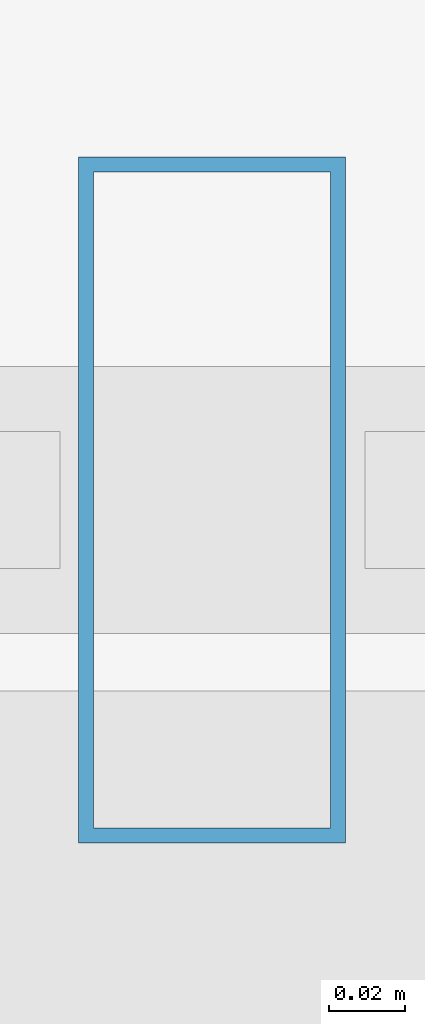
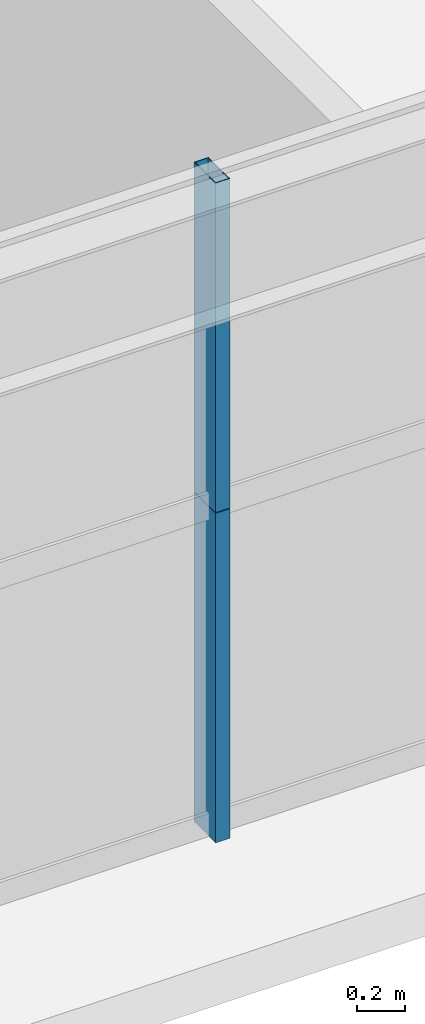
# One storey, part 5 of 43: 2 members, 1 element without a shape of its own.
"""IFC4 building model written with IfcOpenShell, lengths in metres."""

from ifc_helpers import new_model, si_unit, direction, frame, origin, origin_2d, place, context, subcontext, project, spatial, hollow_rectangle, extrude, source, transform, mapped, material, layer, layer_set, material_profile, profile_set, type_object, element, aggregate, save


model = new_model("IFC4")

# Units and contexts
model_context = context("Model", 3, precision=1e-05, world=origin(), true_north=direction((0.0, 1.0)))
body_context = subcontext(model_context, "Body", "Model", "MODEL_VIEW")
ifc_project = project(units=[si_unit("LENGTHUNIT", "METRE"), si_unit("AREAUNIT", "SQUARE_METRE"), si_unit("VOLUMEUNIT", "CUBIC_METRE"), si_unit("PLANEANGLEUNIT", "RADIAN"), si_unit("MASSUNIT", "GRAM", prefix="KILO"), si_unit("THERMODYNAMICTEMPERATUREUNIT", "KELVIN"), si_unit("POWERUNIT", "WATT")], contexts=[model_context])

# Site, building, storey
site_placement = place(None, origin())
site = spatial("IfcSite", under=ifc_project, at=site_placement, CompositionType="ELEMENT")
building_placement = place(site_placement, origin())
building = spatial("IfcBuilding", under=site, at=building_placement, Name="Yuzanri Waterfront Tower", CompositionType="ELEMENT")
storey_placement = place(building_placement, frame((0.0, 0.0, 74.800048828125)))
storey = spatial("IfcBuildingStorey", under=building, at=storey_placement, Name="L19", CompositionType="ELEMENT", Elevation=74.800048828125)

# Curtain wall, members
ifc_material_1 = material(Name="Anodized Architectural Bronze", Category="metal")
ifc_layer = layer(ifc_material_1, 0.159912109375)
ifc_layer_set = layer_set([ifc_layer], Name="Anodized Architectural Bronze")
curtain_wall_type = type_object("IfcCurtainWallType", Name="Anodized Bronze Hotel Lower-Tier Recessed Unitized Curtain Wall 8100", PredefinedType="NOTDEFINED", material=ifc_layer_set)
curtain_wall_placement = place(storey_placement, origin())
curtain_wall = element("IfcCurtainWall", 1, at=curtain_wall_placement, inside=storey, type_object=curtain_wall_type, Name="L19 Curtain Wall CW-L19-SL", PredefinedType="NOTDEFINED")
ifc_material_2 = material(Name="Anodized Architectural Bronze", Category="metal")
ifc_material_profile = material_profile(ifc_material_2, hollow_rectangle(XDim=0.070068359375, YDim=0.179931640625, WallThickness=0.00390625, at=origin_2d()), Name="CWM 70x180")
ifc_profile_set = profile_set([ifc_material_profile], Name="Anodized Architectural Bronze")
member_type = type_object("IfcMemberType", Name="Anodized Bronze Standard Curtain-Wall Mullion 70x180", PredefinedType="MULLION", material=ifc_profile_set)
shared_shape = source(origin(), body_context, "Body", "SweptSolid", [
    extrude(hollow_rectangle(XDim=0.070068359375, YDim=0.179931640625, WallThickness=0.00390625, at=origin_2d()), origin(), (0.0, 0.0, 1.0), 1.68798828125),
])
member_1_placement = place(storey_placement, frame((27.89990234375, 0.85009765625, 0.0), z_axis=(0.0, 0.0, 1.0), x_axis=(1.0, 0.0, 0.0)))
member_1 = element("IfcMember", 2, at=member_1_placement, type_object=member_type, Name="CW-L19-SL Lower Mullion 01", PredefinedType="MULLION", context=body_context, shape_type="MappedRepresentation", body=[
    mapped(shared_shape, transform((0.0, 0.0, 0.0), scale=1.0)),
])
member_2_placement = place(storey_placement, frame((27.89990234375, 0.85009765625, 1.69189453125), z_axis=(0.0, 0.0, 1.0), x_axis=(1.0, 0.0, 0.0)))
member_2 = element("IfcMember", 3, at=member_2_placement, type_object=member_type, Name="CW-L19-SL Upper Mullion 01", PredefinedType="MULLION", context=body_context, shape_type="MappedRepresentation", body=[
    mapped(shared_shape, transform((0.0, 0.0, 0.0), scale=1.0)),
])
aggregate(curtain_wall, [member_1, member_2])

save(model, "model.ifc")
